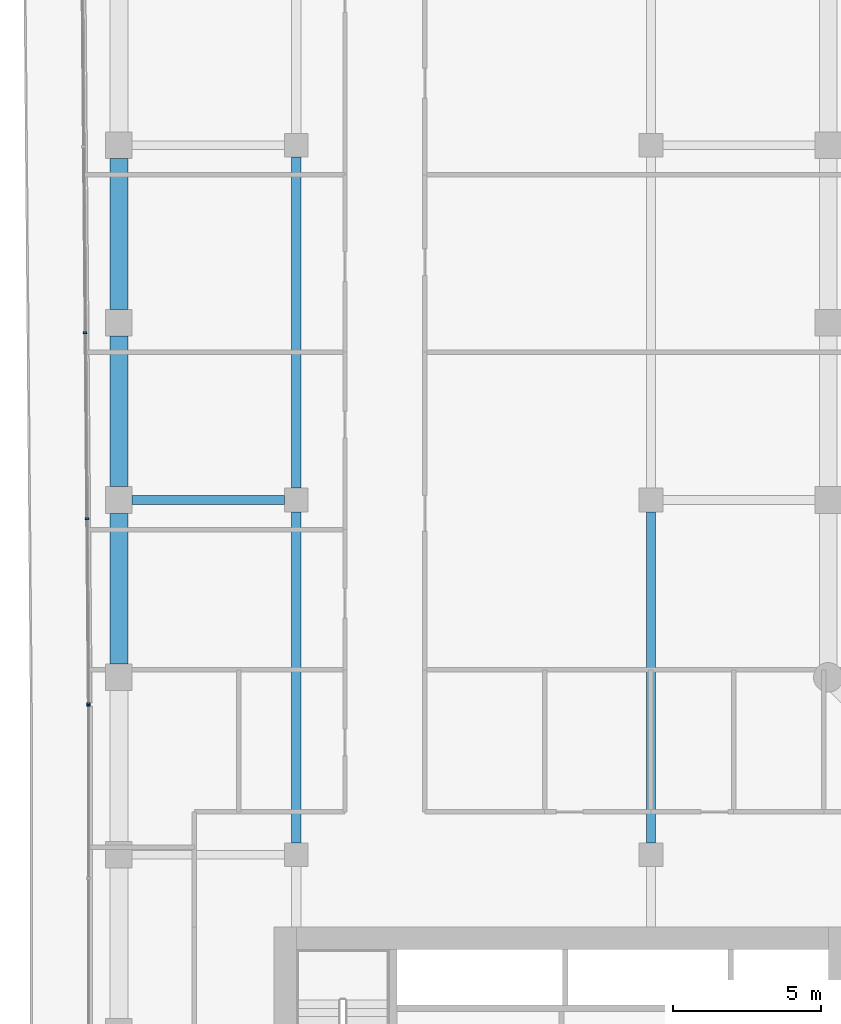
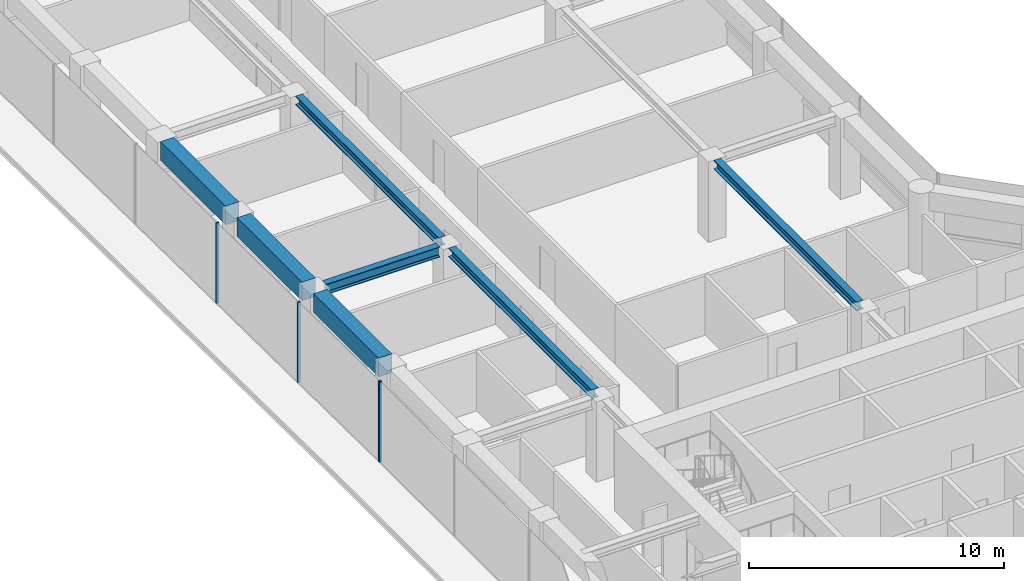
# One storey, part 8 of 21: 7 beams, 4 members, 2 elements without a shape of their own.
"""IFC4 building model written with IfcOpenShell, lengths in metres."""

from ifc_helpers import new_model, si_unit, direction, frame, origin, origin_2d, place, context, subcontext, project, spatial, rectangle, i_section, extrude, material, layer, layer_set, material_profile, profile_set, type_object, element, aggregate, save


model = new_model("IFC4")

# Units and contexts
model_context = context("Model", 3, precision=1e-05, world=origin(), true_north=direction((0.0, 1.0)))
body_context = subcontext(model_context, "Body", "Model", "MODEL_VIEW")
ifc_project = project(units=[si_unit("LENGTHUNIT", "METRE"), si_unit("AREAUNIT", "SQUARE_METRE"), si_unit("VOLUMEUNIT", "CUBIC_METRE"), si_unit("PLANEANGLEUNIT", "RADIAN"), si_unit("MASSUNIT", "GRAM", prefix="KILO")], contexts=[model_context])

# Site, building, storey
site_placement = place(None, origin())
site = spatial("IfcSite", under=ifc_project, at=site_placement, CompositionType="ELEMENT")
building_placement = place(site_placement, origin())
building = spatial("IfcBuilding", under=site, at=building_placement, Name="Welwitschia Terrace Campus", CompositionType="ELEMENT")
storey_placement = place(building_placement, frame((0.0, 0.0, 108.800048828125)))
storey = spatial("IfcBuildingStorey", under=building, at=storey_placement, Name="L24", CompositionType="ELEMENT", Elevation=108.800048828125)

# Beams
ifc_material_1 = material(Name="Steel S355", Category="steel")
ifc_material_profile_1 = material_profile(ifc_material_1, i_section(OverallWidth=0.306884765625, OverallDepth=0.431884765625, WebThickness=0.02099609375, FlangeThickness=0.0400390625, FilletRadius=0.027099609375, at=origin_2d()))
ifc_profile_set_1 = profile_set([ifc_material_profile_1], Name="Steel S355")
beam_type_1 = type_object("IfcBeamType", Name="Interior girder HE 400 M", PredefinedType="BEAM", material=ifc_profile_set_1)
for number, where, z_axis, x_axis, name in (
    (1, (6.0, 28.400390625, 3.634033203125), (0.0, 1.0, 0.0), (-1.0, 0.0, 0.0), "Girder GB3"),
    (2, (6.0, 40.400390625, 3.634033203125), (0.0, 1.0, 0.0), (-1.0, 0.0, 0.0), "Girder GB3"),
    (3, (18.0, 28.400390625, 3.634033203125), (0.0, 1.0, 0.0), (-1.0, 0.0, 0.0), "Girder GB3"),
):
    element("IfcBeam", number, at=place(storey_placement, frame(where, z_axis=z_axis, x_axis=x_axis)), inside=storey, type_object=beam_type_1, Name=name, PredefinedType="BEAM", context=body_context, shape_type="SweptSolid", body=[
        extrude(i_section(OverallWidth=0.306884765625, OverallDepth=0.431884765625, WebThickness=0.02099609375, FlangeThickness=0.0400390625, FilletRadius=0.027099609375, at=origin_2d()), origin(), (0.0, 0.0, 1.0), 11.19921875),
    ])

# Curtain wall, members
ifc_material_2 = material(Name="Bronze anodised aluminium", Category="aluminium")
ifc_layer = layer(ifc_material_2, 0.1201171875)
ifc_layer_set = layer_set([ifc_layer], Name="Bronze anodised aluminium")
curtain_wall_type = type_object("IfcCurtainWallType", Name="Curtain wall CW2 tower 6000", PredefinedType="NOTDEFINED", material=ifc_layer_set)
curtain_wall_1_placement = place(storey_placement, origin())
curtain_wall_1 = element("IfcCurtainWall", 4, at=curtain_wall_1_placement, inside=storey, type_object=curtain_wall_type, Name="CW L24.0.0", PredefinedType="NOTDEFINED")
ifc_material_3 = material(Name="Bronze anodised aluminium", Category="aluminium")
ifc_material_profile_2 = material_profile(ifc_material_3, rectangle(XDim=0.1201171875, YDim=0.06005859375, at=origin_2d()))
ifc_profile_set_2 = profile_set([ifc_material_profile_2], Name="Bronze anodised aluminium")
member_type = type_object("IfcMemberType", Name="Mullion 60x120", PredefinedType="MULLION", material=ifc_profile_set_2)
member_1_placement = place(storey_placement, frame((-1.139892578125, 45.658447265625, 0.0), z_axis=(0.0, 0.0, 1.0), x_axis=(0.999961923064, 0.008726535498, 0.0)))
member_1 = element("IfcMember", 5, at=member_1_placement, type_object=member_type, Name="Mullion L24.0.0.4", PredefinedType="MULLION", context=body_context, shape_type="SweptSolid", body=[
    extrude(rectangle(XDim=0.1201171875, YDim=0.06005859375, at=origin_2d()), origin(), (0.0, 0.0, 1.0), 3.849853515625),
])
member_2_placement = place(storey_placement, frame((-1.0849609375, 39.36767578125, 0.0), z_axis=(0.0, 0.0, 1.0), x_axis=(0.999961923064, 0.008726535498, 0.0)))
member_2 = element("IfcMember", 6, at=member_2_placement, type_object=member_type, Name="Mullion L24.0.0.5", PredefinedType="MULLION", context=body_context, shape_type="SweptSolid", body=[
    extrude(rectangle(XDim=0.1201171875, YDim=0.06005859375, at=origin_2d()), origin(), (0.0, 0.0, 1.0), 3.849853515625),
])
member_3_placement = place(storey_placement, frame((-1.0302734375, 33.106689453125, 0.0), z_axis=(0.0, 0.0, 1.0), x_axis=(0.999961923064, 0.008726535498, 0.0)))
member_3 = element("IfcMember", 7, at=member_3_placement, type_object=member_type, Name="Mullion L24.0.0.6", PredefinedType="MULLION", context=body_context, shape_type="SweptSolid", body=[
    extrude(rectangle(XDim=0.1201171875, YDim=0.06005859375, at=origin_2d()), origin(), (0.0, 0.0, 1.0), 3.849853515625),
])
aggregate(curtain_wall_1, [member_1, member_2, member_3])

# Curtain wall, member
curtain_wall_2_placement = place(storey_placement, origin())
curtain_wall_2 = element("IfcCurtainWall", 8, at=curtain_wall_2_placement, inside=storey, type_object=curtain_wall_type, Name="CW L24.1.0", PredefinedType="NOTDEFINED")
member_4_placement = place(storey_placement, frame((-1.030029296875, 33.046630859375, 0.0), z_axis=(0.0, 0.0, 1.0), x_axis=(1.0, 0.0, 0.0)))
member_4 = element("IfcMember", 9, at=member_4_placement, type_object=member_type, Name="Mullion L24.1.0.0", PredefinedType="MULLION", context=body_context, shape_type="SweptSolid", body=[
    extrude(rectangle(XDim=0.1201171875, YDim=0.06005859375, at=origin_2d()), origin(), (0.0, 0.0, 1.0), 3.849853515625),
])
aggregate(curtain_wall_2, [member_4])

# Beams
ifc_material_4 = material(Name="Steel S355", Category="steel")
ifc_material_profile_3 = material_profile(ifc_material_4, i_section(OverallWidth=0.300048828125, OverallDepth=0.5, WebThickness=0.014404296875, FlangeThickness=0.028076171875, FilletRadius=0.027099609375, at=origin_2d()))
ifc_profile_set_3 = profile_set([ifc_material_profile_3], Name="Steel S355")
beam_type_2 = type_object("IfcBeamType", Name="Primary beam HE 500 B", PredefinedType="BEAM", material=ifc_profile_set_3)
beam_placement = place(storey_placement, frame((0.450439453125, 40.0, 3.599853515625), z_axis=(1.0, 0.0, 0.0), x_axis=(0.0, 1.0, 0.0)))
element("IfcBeam", 10, at=beam_placement, inside=storey, type_object=beam_type_2, Name="Primary beam PB3", PredefinedType="BEAM", context=body_context, shape_type="SweptSolid", body=[
    extrude(i_section(OverallWidth=0.300048828125, OverallDepth=0.5, WebThickness=0.014404296875, FlangeThickness=0.028076171875, FilletRadius=0.027099609375, at=origin_2d()), origin(), (0.0, 0.0, 1.0), 5.149169921875),
])
ifc_material_5 = material(Name="Concrete C60/75", Category="concrete")
ifc_material_profile_4 = material_profile(ifc_material_5, rectangle(XDim=0.60009765625, YDim=0.89990234375, at=origin_2d()))
ifc_profile_set_4 = profile_set([ifc_material_profile_4], Name="Concrete C60/75")
beam_type_3 = type_object("IfcBeamType", Name="Ring spandrel 600x900", PredefinedType="SPANDREL", material=ifc_profile_set_4)
for number, where, z_axis, x_axis, name in (
    (11, (0.0, 51.549560546875, 3.39990234375), (0.0, -1.0, 0.0), (1.0, 0.0, 0.0), "Spandrel SP2"),
    (12, (0.0, 45.549560546875, 3.39990234375), (0.0, -1.0, 0.0), (1.0, 0.0, 0.0), "Spandrel SP2"),
    (13, (0.0, 39.549560546875, 3.39990234375), (0.0, -1.0, 0.0), (1.0, 0.0, 0.0), "Spandrel SP2"),
):
    element("IfcBeam", number, at=place(storey_placement, frame(where, z_axis=z_axis, x_axis=x_axis)), inside=storey, type_object=beam_type_3, Name=name, PredefinedType="SPANDREL", context=body_context, shape_type="SweptSolid", body=[
        extrude(rectangle(XDim=0.60009765625, YDim=0.89990234375, at=origin_2d()), origin(), (0.0, 0.0, 1.0), 5.09912109375),
    ])

save(model, "model.ifc")
